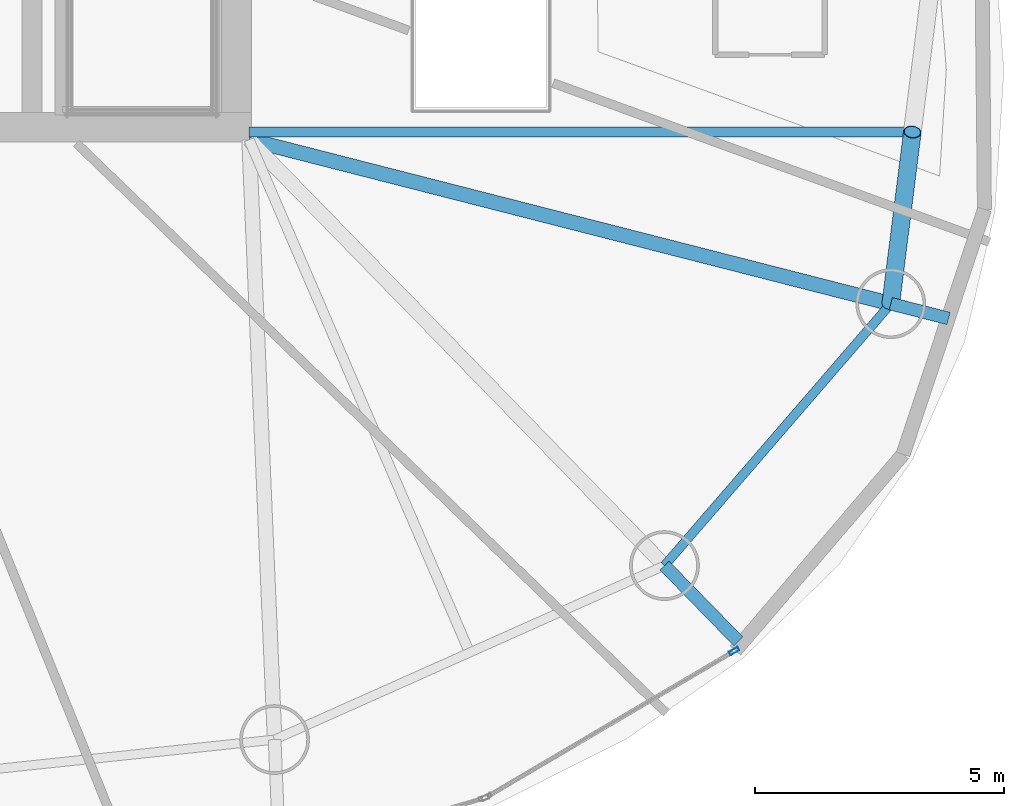
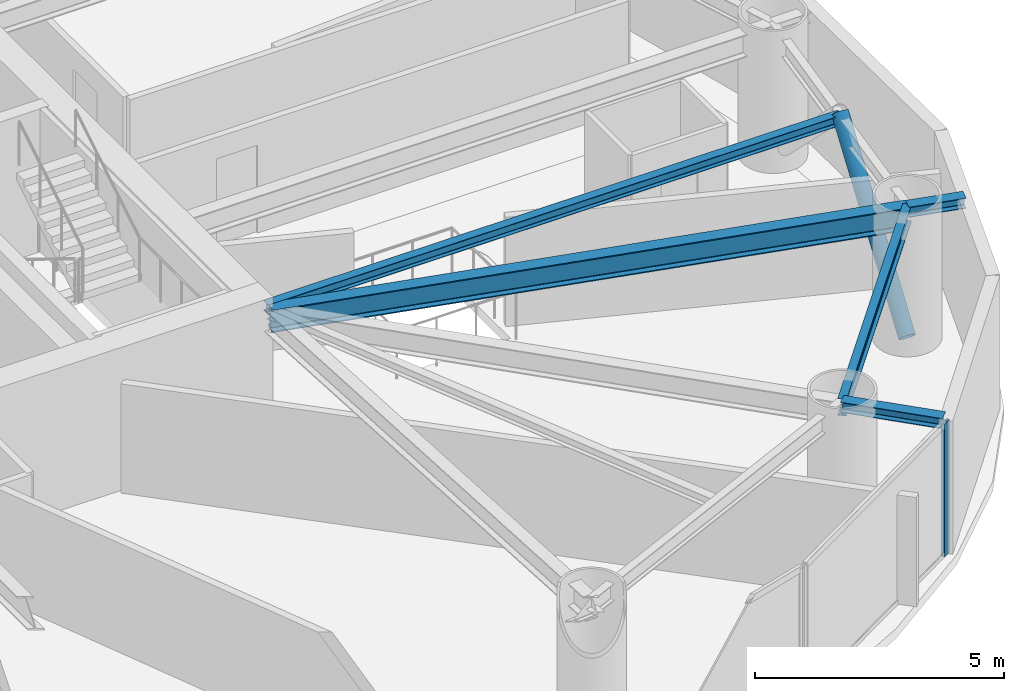
# One storey, part 7 of 24: 5 beams, 2 members, 1 element without a shape of its own.
"""IFC4 building model written with IfcOpenShell, lengths in metres."""

from ifc_helpers import new_model, si_unit, direction, frame, origin, origin_2d, place, context, subcontext, project, spatial, hollow_rectangle, hollow_circle, i_section, extrude, material, layer, layer_set, material_profile, profile_set, type_object, element, aggregate, save


model = new_model("IFC4")

# Units and contexts
model_context = context("Model", 3, precision=1e-05, world=origin(), true_north=direction((0.0, 1.0)))
body_context = subcontext(model_context, "Body", "Model", "MODEL_VIEW")
ifc_project = project(units=[si_unit("LENGTHUNIT", "METRE"), si_unit("AREAUNIT", "SQUARE_METRE"), si_unit("VOLUMEUNIT", "CUBIC_METRE"), si_unit("PLANEANGLEUNIT", "RADIAN"), si_unit("MASSUNIT", "GRAM", prefix="KILO")], contexts=[model_context])

# Site, building, storey
site_placement = place(None, origin())
site = spatial("IfcSite", under=ifc_project, at=site_placement, CompositionType="ELEMENT")
building_placement = place(site_placement, origin())
building = spatial("IfcBuilding", under=site, at=building_placement, Name="Bramvorn Convention Spire", CompositionType="ELEMENT")
storey_placement = place(building_placement, frame((0.0, 0.0, 148.300048828125)))
storey = spatial("IfcBuildingStorey", under=building, at=storey_placement, Name="L37", CompositionType="ELEMENT", Elevation=148.300048828125)

# Beams
ifc_material_1 = material(Name="Steel CSA G40.21 Grade 350 (350W)", Category="steel")
ifc_material_profile_1 = material_profile(ifc_material_1, i_section(OverallWidth=0.201904296875, OverallDepth=0.2470703125, WebThickness=0.00732421875, FlangeThickness=0.010986328125, FilletRadius=0.011962890625, at=origin_2d()))
ifc_profile_set_1 = profile_set([ifc_material_profile_1], Name="Steel CSA G40.21 Grade 350 (350W) - W250X49")
beam_type_1 = type_object("IfcBeamType", Name="BM-W250X49", PredefinedType="JOIST", material=ifc_profile_set_1)
beam_1_placement = place(storey_placement, frame((49.25, 18.705078125, 3.136474609375), z_axis=(1.0, 0.0, 0.0), x_axis=(0.0, 1.0, 0.0)))
element("IfcBeam", 1, at=beam_1_placement, inside=storey, type_object=beam_type_1, Name="L37 composite floor joist 01", PredefinedType="JOIST", context=body_context, shape_type="SweptSolid", body=[
    extrude(i_section(OverallWidth=0.201904296875, OverallDepth=0.2470703125, WebThickness=0.00732421875, FlangeThickness=0.010986328125, FilletRadius=0.011962890625, at=origin_2d()), origin(), (0.0, 0.0, 1.0), 13.30078125),
])
ifc_material_profile_2 = material_profile(ifc_material_1, i_section(OverallWidth=0.25390625, OverallDepth=0.2529296875, WebThickness=0.008544921875, FlangeThickness=0.01416015625, FilletRadius=0.011962890625, at=origin_2d()))
ifc_profile_set_2 = profile_set([ifc_material_profile_2], Name="Steel CSA G40.21 Grade 350 (350W) - W250X73")
beam_type_2 = type_object("IfcBeamType", Name="BM-W250X73", PredefinedType="BEAM", material=ifc_profile_set_2)
beam_2_placement = place(storey_placement, frame((62.11767578125, 15.26220703125, 3.133544921875), z_axis=(0.968881276157, -0.247525903113, 0.0), x_axis=(0.247525903113, 0.968881276157, 0.0)))
element("IfcBeam", 2, at=beam_2_placement, inside=storey, type_object=beam_type_2, Name="L37 slab-edge cantilever tip beam MC01", PredefinedType="BEAM", context=body_context, shape_type="SweptSolid", body=[
    extrude(i_section(OverallWidth=0.25390625, OverallDepth=0.2529296875, WebThickness=0.008544921875, FlangeThickness=0.01416015625, FilletRadius=0.011962890625, at=origin_2d()), origin(), (0.0, 0.0, 1.0), 1.1962890625),
])
beam_3_placement = place(storey_placement, frame((57.579833984375, 10.0107421875, 3.133544921875), z_axis=(0.6982490751, -0.715854893901, 0.0), x_axis=(0.715854893901, 0.6982490751, 0.0)))
element("IfcBeam", 3, at=beam_3_placement, inside=storey, type_object=beam_type_2, Name="L37 slab-edge cantilever tip beam MC16", PredefinedType="BEAM", context=body_context, shape_type="SweptSolid", body=[
    extrude(i_section(OverallWidth=0.25390625, OverallDepth=0.2529296875, WebThickness=0.008544921875, FlangeThickness=0.01416015625, FilletRadius=0.011962890625, at=origin_2d()), origin(), (0.0, 0.0, 1.0), 2.12158203125),
])
ifc_material_profile_3 = material_profile(ifc_material_1, i_section(OverallWidth=0.180908203125, OverallDepth=0.4169921875, WebThickness=0.010986328125, FlangeThickness=0.018310546875, FilletRadius=0.01611328125, at=origin_2d()))
ifc_profile_set_3 = profile_set([ifc_material_profile_3], Name="Steel CSA G40.21 Grade 350 (350W) - W410X85")
beam_type_3 = type_object("IfcBeamType", Name="BM-W410X85", PredefinedType="JOIST", material=ifc_profile_set_3)
beam_4_placement = place(storey_placement, frame((57.579833984375, 10.0107421875, 3.051513671875), z_axis=(0.653824993824, 0.756645807132, 0.0), x_axis=(-0.756645807132, 0.653824993824, 0.0)))
element("IfcBeam", 4, at=beam_4_placement, inside=storey, type_object=beam_type_3, Name="L37 mega-column ring beam 16", PredefinedType="JOIST", context=body_context, shape_type="SweptSolid", body=[
    extrude(i_section(OverallWidth=0.180908203125, OverallDepth=0.4169921875, WebThickness=0.010986328125, FlangeThickness=0.018310546875, FilletRadius=0.01611328125, at=origin_2d()), origin(), (0.0, 0.0, 1.0), 6.9404296875),
])
ifc_material_profile_4 = material_profile(ifc_material_1, i_section(OverallWidth=0.2919921875, OverallDepth=0.551025390625, WebThickness=0.01513671875, FlangeThickness=0.0244140625, FilletRadius=0.01904296875, at=origin_2d()))
ifc_profile_set_4 = profile_set([ifc_material_profile_4], Name="Steel CSA G40.21 Grade 350 (350W) - W530X182")
beam_type_4 = type_object("IfcBeamType", Name="BM-W530X182", PredefinedType="BEAM", material=ifc_profile_set_4)
beam_5_placement = place(storey_placement, frame((49.25, 18.550048828125, 2.984375), z_axis=(0.968872976577, -0.247558387576, 0.0), x_axis=(0.247558387576, 0.968872976577, 0.0)))
element("IfcBeam", 5, at=beam_5_placement, inside=storey, type_object=beam_type_4, Name="L37 radial floor girder MC01", PredefinedType="BEAM", context=body_context, shape_type="SweptSolid", body=[
    extrude(i_section(OverallWidth=0.2919921875, OverallDepth=0.551025390625, WebThickness=0.01513671875, FlangeThickness=0.0244140625, FilletRadius=0.01904296875, at=origin_2d()), origin(), (0.0, 0.0, 1.0), 13.281005859375),
])

# Curtain wall, member
ifc_material_2 = material(Name="Anodised Bronze Unitised Curtain Wall", Category="aluminium")
ifc_layer = layer(ifc_material_2, 0.179931640625)
ifc_layer_set = layer_set([ifc_layer], Name="Anodised Bronze Unitised Curtain Wall - CW-HTL-FRIT")
curtain_wall_type = type_object("IfcCurtainWallType", Name="CW-HTL-FRIT", PredefinedType="USERDEFINED", material=ifc_layer_set)
curtain_wall_placement = place(storey_placement, origin())
curtain_wall = element("IfcCurtainWall", 6, at=curtain_wall_placement, inside=storey, type_object=curtain_wall_type, Name="L37 fritted glass curtain wall 23", ObjectType="UNITISED CURTAIN WALL", PredefinedType="USERDEFINED")
ifc_material_3 = material(Name="Anodised Bronze Aluminium 6063-T6", Category="aluminium")
ifc_material_profile_5 = material_profile(ifc_material_3, hollow_rectangle(XDim=0.080078125, YDim=0.199951171875, WallThickness=0.00390625, InnerFilletRadius=0.0009765625, OuterFilletRadius=0.00390625, at=origin_2d()))
ifc_profile_set_5 = profile_set([ifc_material_profile_5], Name="Anodised Bronze Aluminium 6063-T6 - CWM80X200")
member_type_1 = type_object("IfcMemberType", Name="CW-MUL-180", PredefinedType="MULLION", material=ifc_profile_set_5)
member_1_placement = place(storey_placement, frame((58.976318359375, 8.295166015625, 0.0), z_axis=(0.0, 0.0, 1.0), x_axis=(0.507652698742, -0.8615618013, 0.0)))
member_1 = element("IfcMember", 7, at=member_1_placement, type_object=member_type_1, Name="CW2 mullion 1", PredefinedType="MULLION", context=body_context, shape_type="SweptSolid", body=[
    extrude(hollow_rectangle(XDim=0.080078125, YDim=0.199951171875, WallThickness=0.00390625, InnerFilletRadius=0.0009765625, OuterFilletRadius=0.00390625, at=origin_2d()), origin(), (0.0, 0.0, 1.0), 3.260009765625),
])
aggregate(curtain_wall, [member_1])

# Member
ifc_material_profile_6 = material_profile(ifc_material_1, hollow_circle(Radius=0.177734375, WallThickness=0.015869140625, at=origin_2d()))
ifc_profile_set_6 = profile_set([ifc_material_profile_6], Name="Steel CSA G40.21 Grade 350 (350W) - CHS356X16")
member_type_2 = type_object("IfcMemberType", Name="MBR-CHS356X16", PredefinedType="BRACE", material=ifc_profile_set_6)
member_2_placement = place(storey_placement, frame((62.11767578125, 15.26220703125, 0.0), z_axis=(0.090912229428, 0.723144484842, 0.684687534999), x_axis=(-0.992189958039, 0.124736070028, 0.0)))
element("IfcMember", 8, at=member_2_placement, inside=storey, type_object=member_type_2, Name="L37 perimeter Gothic lancet brace 1A", PredefinedType="BRACE", context=body_context, shape_type="SweptSolid", body=[
    extrude(hollow_circle(Radius=0.177734375, WallThickness=0.015869140625, at=origin_2d()), origin(), (0.0, 0.0, 1.0), 4.76123046875),
])

save(model, "model.ifc")
